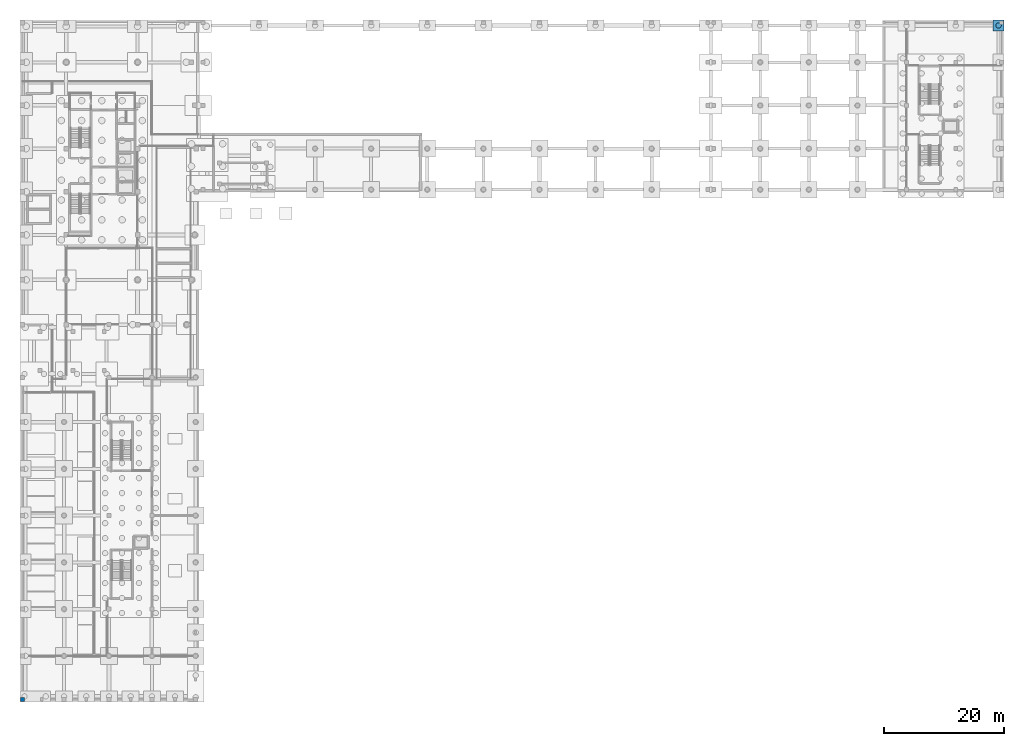
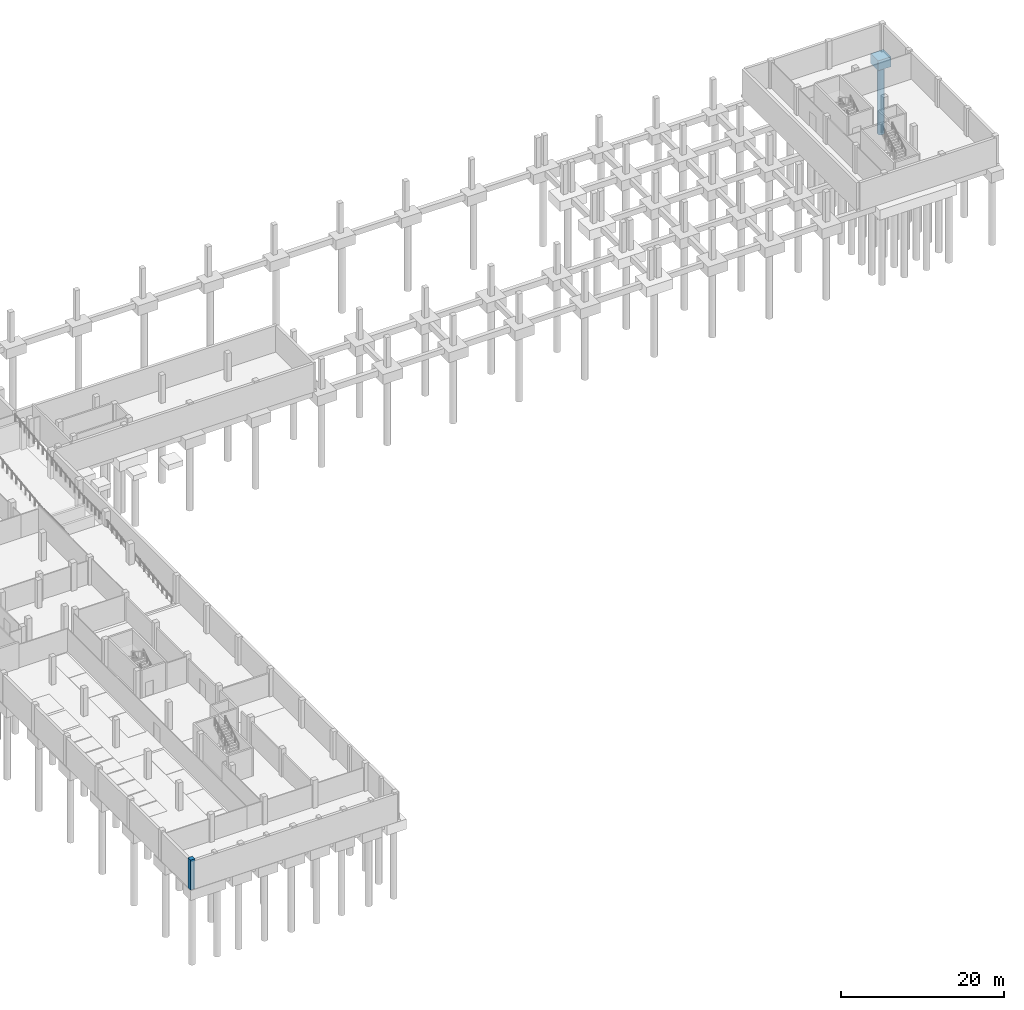
# One storey, part 7 of 21: 1 column, 1 footing, 1 pile.
"""IFC4 building model written with IfcOpenShell, lengths in metres."""

from ifc_helpers import new_model, si_unit, direction, frame, origin, origin_2d, place, context, subcontext, project, spatial, polyline, rectangle, circle, outline, extrude, material, material_profile, profile_set, type_object, element, save


model = new_model("IFC4")

# Units and contexts
model_context = context("Model", 3, precision=1e-05, world=origin(), true_north=direction((0.0, 1.0)))
body_context = subcontext(model_context, "Body", "Model", "MODEL_VIEW")
ifc_project = project(units=[si_unit("LENGTHUNIT", "METRE"), si_unit("AREAUNIT", "SQUARE_METRE"), si_unit("VOLUMEUNIT", "CUBIC_METRE"), si_unit("PLANEANGLEUNIT", "RADIAN"), si_unit("MASSUNIT", "GRAM", prefix="KILO")], contexts=[model_context])

# Site, building, storey
site_placement = place(None, origin())
site = spatial("IfcSite", under=ifc_project, at=site_placement, CompositionType="ELEMENT")
building_placement = place(site_placement, origin())
building = spatial("IfcBuilding", under=site, at=building_placement, Name="Quillay Park Conservatory", CompositionType="ELEMENT")
storey_placement = place(building_placement, frame((0.0, 0.0, -8.39990234375)))
storey = spatial("IfcBuildingStorey", under=building, at=storey_placement, Name="B2", CompositionType="ELEMENT", Elevation=-8.39990234375)

# Pile
ifc_material_1 = material(Name="Concrete C35/45 (NCh170 Concrete C35/45)", Category="concrete")
ifc_material_profile_1 = material_profile(ifc_material_1, circle(Radius=0.449951171875, at=origin_2d()), Name="PILE900")
ifc_profile_set_1 = profile_set([ifc_material_profile_1], Name="Concrete C35/45 (NCh170 Concrete C35/45)")
pile_type = type_object("IfcPileType", Name="BORED CONCRETE PILE 900", PredefinedType="BORED", material=ifc_profile_set_1)
pile_placement = place(storey_placement, frame((163.35009765625, 112.925048828125, -1.7001953125), z_axis=(0.0, 0.0, -1.0), x_axis=(1.0, 0.0, 0.0)))
element("IfcPile", 1, at=pile_placement, inside=storey, type_object=pile_type, Name="Bored pile P-0262", PredefinedType="BORED", context=body_context, shape_type="SweptSolid", body=[
    extrude(circle(Radius=0.449951171875, at=origin_2d()), origin(), (0.0, 0.0, 1.0), 10.300048828125),
])

# Footing
ifc_material_2 = material(Name="Concrete C35/45 (NCh170 Concrete C35/45)", Category="concrete")
footing_type = type_object("IfcFootingType", Name="BORED PILE CAP 1800 X1850", PredefinedType="PILE_CAP", material=ifc_material_2)
footing_placement = place(storey_placement, frame((0.0, 0.0, -1.800048828125)))
element("IfcFooting", 2, at=footing_placement, inside=storey, type_object=footing_type, Name="B2 pile cap PC-30 (113)", PredefinedType="PILE_CAP", context=body_context, shape_type="SweptSolid", body=[
    extrude(outline(polyline([(162.449951171875, 112.0), (164.25, 112.0), (164.25, 113.85009765625), (162.449951171875, 113.85009765625), (162.449951171875, 112.0)])), origin(), (0.0, 0.0, 1.0), 1.5),
])

# Column
ifc_material_3 = material(Name="Concrete C40/50 (NCh170 Concrete C40/50)", Category="concrete")
ifc_material_profile_2 = material_profile(ifc_material_3, rectangle(XDim=0.64990234375, YDim=0.64990234375, at=origin_2d()), Name="RC650x650")
ifc_profile_set_2 = profile_set([ifc_material_profile_2], Name="Concrete C40/50 (NCh170 Concrete C40/50)")
column_type = type_object("IfcColumnType", Name="REINFORCED CONCRETE COLUMN 650", PredefinedType="COLUMN", material=ifc_profile_set_2)
column_placement = place(storey_placement, frame((0.550048828125, 0.550048828125, -0.300048828125), z_axis=(0.0, 0.0, 1.0), x_axis=(1.0, 0.0, 0.0)))
element("IfcColumn", 3, at=column_placement, inside=storey, type_object=column_type, Name="B2 column COL-V3-B2-0-0", PredefinedType="COLUMN", context=body_context, shape_type="SweptSolid", body=[
    extrude(rectangle(XDim=0.64990234375, YDim=0.64990234375, at=origin_2d()), origin(), (0.0, 0.0, 1.0), 4.5),
])

save(model, "model.ifc")
